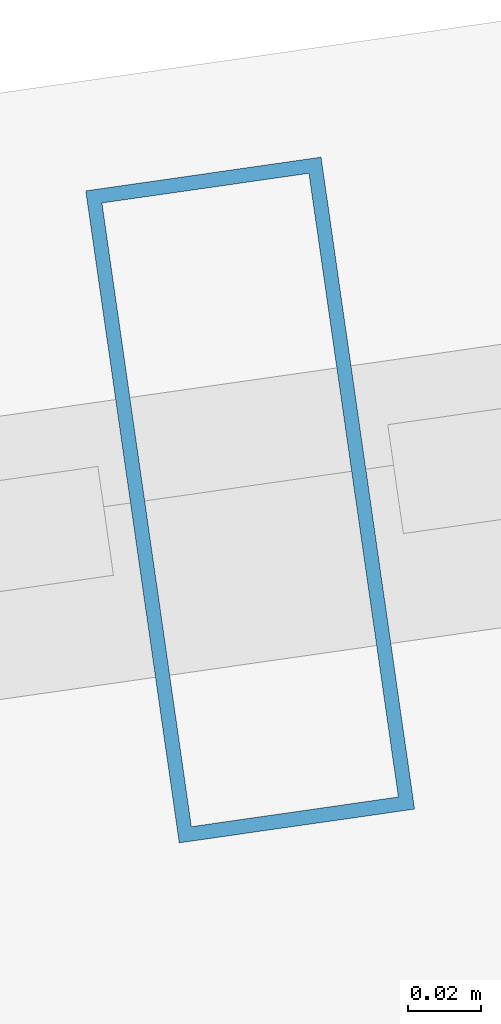
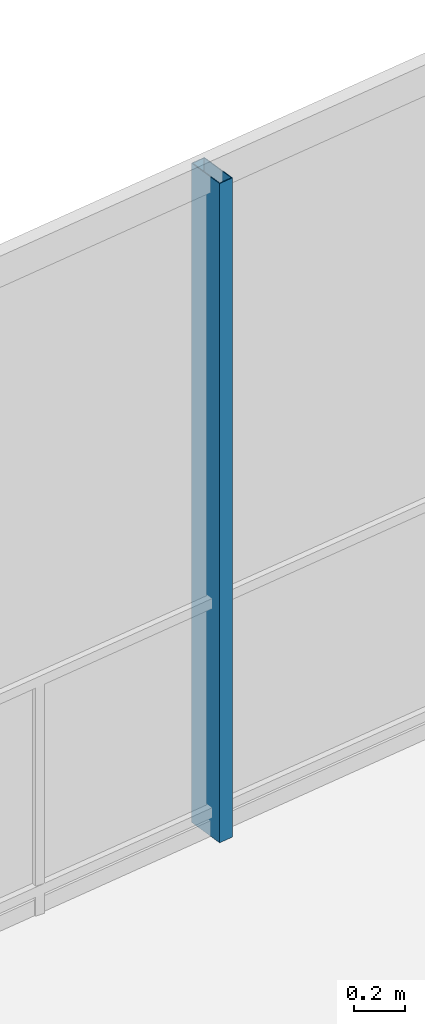
# One storey, part 18 of 29: 1 member, 1 element without a shape of its own.
"""IFC4 building model written with IfcOpenShell, lengths in metres."""

from ifc_helpers import new_model, si_unit, direction, frame, origin, origin_2d, place, context, subcontext, project, spatial, hollow_rectangle, extrude, material, layer, layer_set, material_profile, profile_set, type_object, element, aggregate, save


model = new_model("IFC4")

# Units and contexts
model_context = context("Model", 3, precision=1e-05, world=origin(), true_north=direction((0.0, 1.0)))
body_context = subcontext(model_context, "Body", "Model", "MODEL_VIEW")
ifc_project = project(units=[si_unit("LENGTHUNIT", "METRE"), si_unit("AREAUNIT", "SQUARE_METRE"), si_unit("VOLUMEUNIT", "CUBIC_METRE"), si_unit("PLANEANGLEUNIT", "RADIAN"), si_unit("MASSUNIT", "GRAM", prefix="KILO")], contexts=[model_context])

# Site, building, storey
site_placement = place(None, origin())
site = spatial("IfcSite", under=ifc_project, at=site_placement, CompositionType="ELEMENT")
building_placement = place(site_placement, origin())
building = spatial("IfcBuilding", under=site, at=building_placement, Name="Qarnah Convention Tower", CompositionType="ELEMENT")
storey_placement = place(building_placement, frame((0.0, 0.0, 97.050048828125)))
storey = spatial("IfcBuildingStorey", under=building, at=storey_placement, Name="L25", CompositionType="ELEMENT", Elevation=97.050048828125)

# Curtain wall, member
ifc_material_1 = material(Name="Tempered Low-E dark glass", Category="glass")
ifc_layer = layer(ifc_material_1, 0.169921875)
ifc_layer_set = layer_set([ifc_layer], Name="Tempered Low-E dark glass")
curtain_wall_type = type_object("IfcCurtainWallType", Name="CWS-02", PredefinedType="NOTDEFINED", material=ifc_layer_set)
curtain_wall_placement = place(storey_placement, origin())
curtain_wall = element("IfcCurtainWall", 1, at=curtain_wall_placement, inside=storey, type_object=curtain_wall_type, Name="L25 unitised curtain wall CW-L25-F1", PredefinedType="NOTDEFINED")
ifc_material_2 = material(Name="Black anodised aluminium", Category="aluminium")
ifc_material_profile = material_profile(ifc_material_2, hollow_rectangle(XDim=0.06494140625, YDim=0.179931640625, WallThickness=0.00390625, at=origin_2d()), Name="MUL-65X180")
ifc_profile_set = profile_set([ifc_material_profile], Name="Black anodised aluminium")
member_type = type_object("IfcMemberType", Name="MUL-T2", PredefinedType="MULLION", material=ifc_profile_set)
member_placement = place(storey_placement, frame((32.1953125, 43.32861328125, 0.0), z_axis=(0.0, 0.0, 1.0), x_axis=(0.989875972225, 0.141935054203, 0.0)))
member = element("IfcMember", 2, at=member_placement, type_object=member_type, Name="CW-L25-F1 mullion 3", PredefinedType="MULLION", context=body_context, shape_type="SweptSolid", body=[
    extrude(hollow_rectangle(XDim=0.06494140625, YDim=0.179931640625, WallThickness=0.00390625, at=origin_2d()), origin(), (0.0, 0.0, 1.0), 3.169921875),
])
aggregate(curtain_wall, [member])

save(model, "model.ifc")
